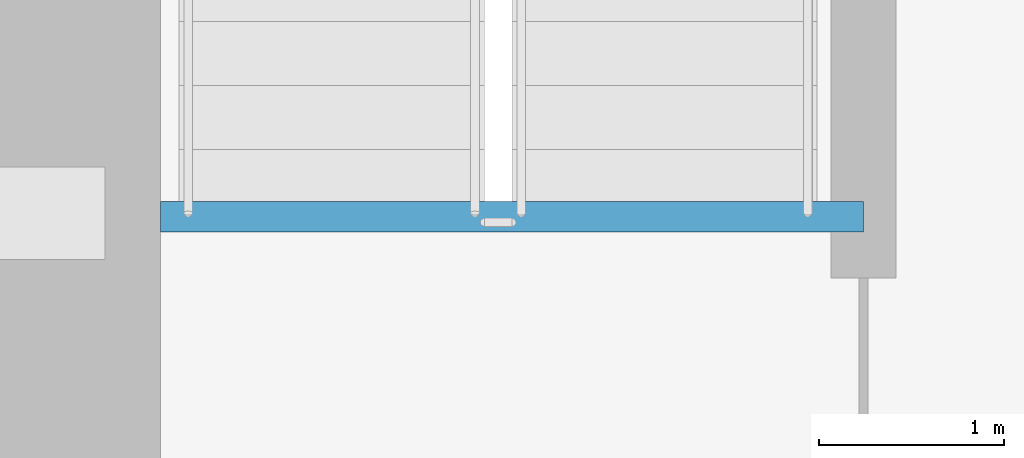
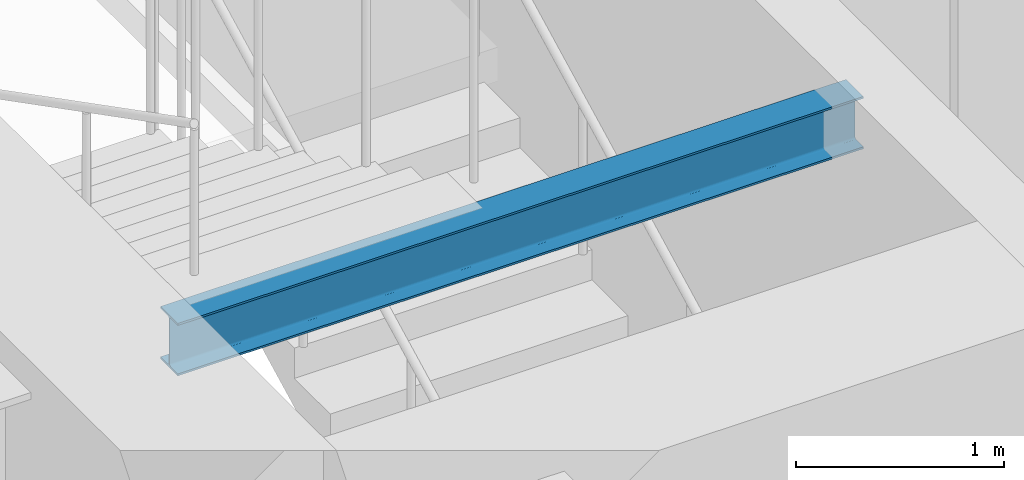
# One storey, part 23 of 37: 1 beam.
"""IFC4 building model written with IfcOpenShell, lengths in metres."""

from ifc_helpers import new_model, si_unit, direction, frame, origin, origin_2d, place, context, subcontext, project, spatial, i_section, extrude, source, transform, mapped, material, material_profile, profile_set, type_object, type_shapes, element, save


model = new_model("IFC4")

# Units and contexts
model_context = context("Model", 3, precision=1e-05, world=origin(), true_north=direction((0.0, 1.0)))
body_context = subcontext(model_context, "Body", "Model", "MODEL_VIEW")
ifc_project = project(units=[si_unit("LENGTHUNIT", "METRE"), si_unit("AREAUNIT", "SQUARE_METRE"), si_unit("VOLUMEUNIT", "CUBIC_METRE"), si_unit("PLANEANGLEUNIT", "RADIAN"), si_unit("MASSUNIT", "GRAM", prefix="KILO")], contexts=[model_context])

# Site, building, storey
site_placement = place(None, origin())
site = spatial("IfcSite", under=ifc_project, at=site_placement, CompositionType="ELEMENT")
building_placement = place(site_placement, origin())
building = spatial("IfcBuilding", under=site, at=building_placement, Name="Tolvann Quenvar Hotel", CompositionType="ELEMENT")
storey_placement = place(building_placement, frame((0.0, 0.0, 53.300048828125)))
storey = spatial("IfcBuildingStorey", under=building, at=storey_placement, Name="L12", CompositionType="ELEMENT", Elevation=53.300048828125)

# Beam
ifc_material = material(Name="Steel Grade 350", Category="steel")
ifc_material_profile = material_profile(ifc_material, i_section(OverallWidth=0.166015625, OverallDepth=0.306884765625, WebThickness=0.006591796875, FlangeThickness=0.01171875, FilletRadius=0.011474609375, at=origin_2d()), Name="310UB46")
ifc_profile_set = profile_set([ifc_material_profile], Name="Steel Grade 350")
beam_type = type_object("IfcBeamType", Name="BM_JOIST_310UB46", PredefinedType="JOIST", material=ifc_profile_set)
shared_shape = source(origin(), body_context, "Body", "SweptSolid", [
    extrude(i_section(OverallWidth=0.166015625, OverallDepth=0.306884765625, WebThickness=0.006591796875, FlangeThickness=0.01171875, FilletRadius=0.011474609375, at=origin_2d()), origin(), (0.0, 0.0, 1.0), 3.800048828125),
])
type_shapes(beam_type, [shared_shape])
beam_placement = place(storey_placement, frame((10.5, 33.97998046875, 3.216552734375), z_axis=(1.0, 0.0, 0.0), x_axis=(0.0, 1.0, 0.0)))
element("IfcBeam", 1, at=beam_placement, inside=storey, type_object=beam_type, Name="BM-HDR-STC1-L13", PredefinedType="JOIST", context=body_context, shape_type="MappedRepresentation", body=[
    mapped(shared_shape, transform((0.0, 0.0, 0.0), x_axis=(1.0, 0.0, 0.0), y_axis=(0.0, 1.0, 0.0), z_axis=(0.0, 0.0, 1.0), scale=1.0)),
])

save(model, "model.ifc")
